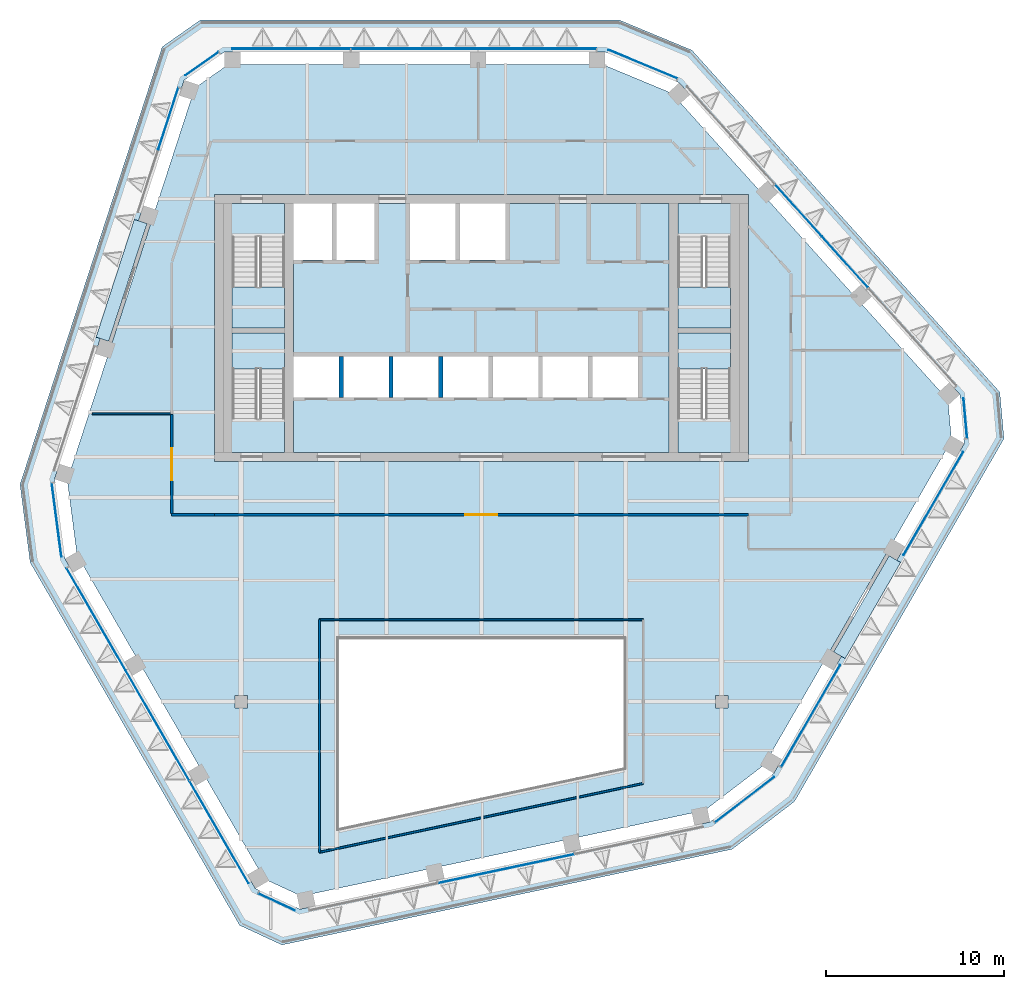
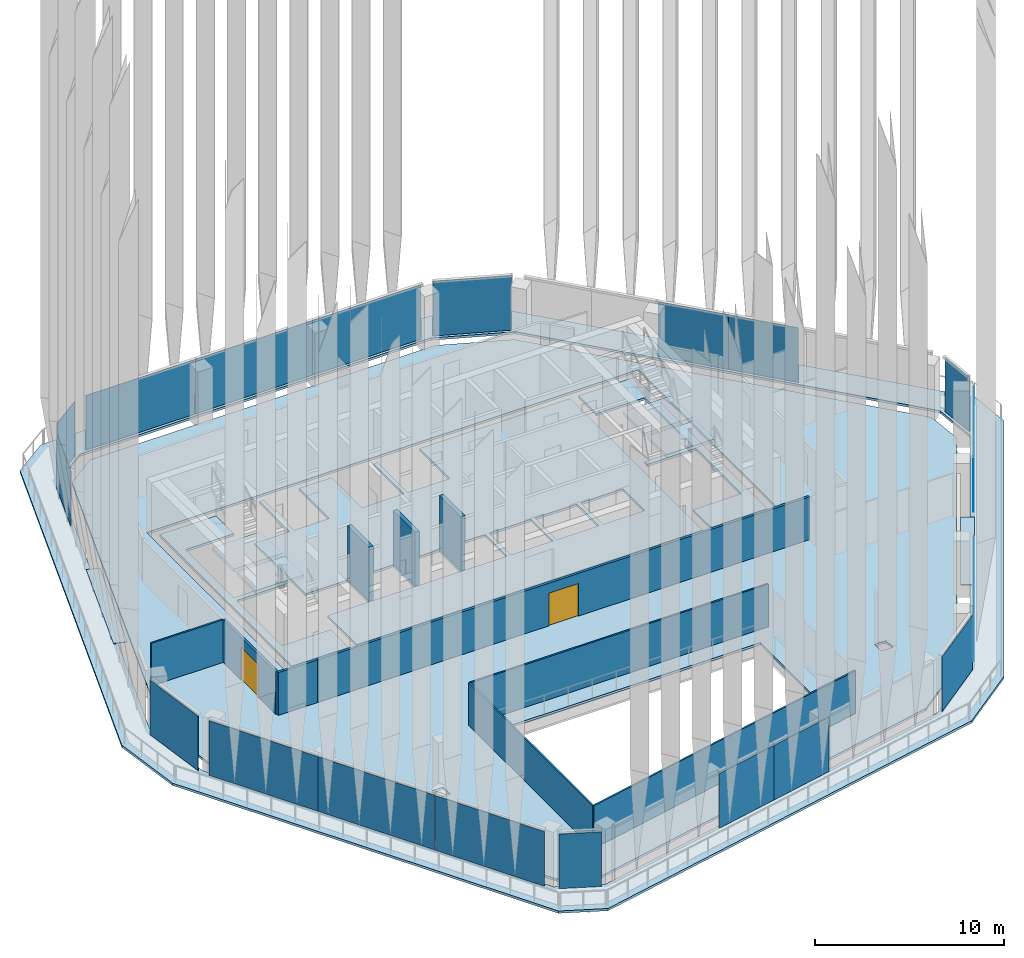
# One storey, part 7 of 21: 19 plates, 11 slabs, 10 walls, 2 doors, 2 openings, 16 elements without a shape of their own.
"""IFC4 building model written with IfcOpenShell, lengths in metres."""

from ifc_helpers import new_model, si_unit, direction, frame, frame_2d, origin, origin_2d, place, context, subcontext, project, spatial, polyline, rectangle, outline, extrude, material, layer, layer_set, type_object, element, fill, aggregate, save


model = new_model("IFC4")

# Units and contexts
model_context = context("Model", 3, precision=1e-05, world=origin(), true_north=direction((0.0, 1.0)))
body_context = subcontext(model_context, "Body", "Model", "MODEL_VIEW")
ifc_project = project(units=[si_unit("LENGTHUNIT", "METRE"), si_unit("AREAUNIT", "SQUARE_METRE"), si_unit("VOLUMEUNIT", "CUBIC_METRE"), si_unit("PLANEANGLEUNIT", "RADIAN"), si_unit("MASSUNIT", "GRAM", prefix="KILO")], contexts=[model_context])

# Site, building, storey
site_placement = place(None, origin())
site = spatial("IfcSite", under=ifc_project, at=site_placement, CompositionType="ELEMENT")
building_placement = place(site_placement, origin())
building = spatial("IfcBuilding", under=site, at=building_placement, Name="Isthmus Gate Tower", CompositionType="ELEMENT")
storey_placement = place(building_placement, frame((0.0, 0.0, 260.949951171875)))
storey = spatial("IfcBuildingStorey", under=building, at=storey_placement, Name="L66", CompositionType="ELEMENT", Elevation=260.949951171875)

# Slabs
ifc_material_1 = material(Name="Concrete f'c 40 MPa", Category="concrete")
ifc_layer_1 = layer(ifc_material_1, 0.14990234375)
ifc_layer_set_1 = layer_set([ifc_layer_1], Name="COMPOSITE FLOOR SLAB 150")
slab_type_1 = type_object("IfcSlabType", Name="COMPOSITE FLOOR SLAB 150", PredefinedType="FLOOR", material=ifc_layer_set_1)
slab_1_placement = place(storey_placement, frame((0.0, 0.0, -0.14990234375)))
element("IfcSlab", 1, at=slab_1_placement, inside=storey, type_object=slab_type_1, Name="str-slab-L66-1", PredefinedType="FLOOR", context=body_context, shape_type="SweptSolid", body=[
    extrude(outline(polyline([(10.7080078125, 20.68310546875), (26.218017578125, 3.45751953125), (26.423583984375, 1.1669921875), (15.902587890625, -17.055908203125), (12.55810546875, -19.614990234375), (-10.11474609375, -24.434326171875), (-12.201171875, -23.467041015625), (-22.72216796875, -5.243896484375), (-23.26611328125, -1.068115234375), (-16.103515625, 20.976806640625), (-14.22265625, 22.300048828125), (6.819580078125, 22.300048828125), (10.7080078125, 20.68310546875)]), holes=[polyline([(-8.0, -10.0), (-8.0, -20.611083984375), (8.0, -17.210205078125), (8.0, -10.0), (-8.0, -10.0)]), polyline([(-13.85009765625, -13.14990234375), (-13.85009765625, -13.85009765625), (-13.14990234375, -13.85009765625), (-13.14990234375, -13.14990234375), (-13.85009765625, -13.14990234375)]), polyline([(13.14990234375, -13.14990234375), (13.14990234375, -13.85009765625), (13.85009765625, -13.85009765625), (13.85009765625, -13.14990234375), (13.14990234375, -13.14990234375)]), polyline([(-15.0, 0.0), (15.0, 0.0), (15.0, 15.0), (-15.0, 15.0), (-15.0, 0.0)])]), origin(), (0.0, 0.0, 1.0), 0.14990234375),
])
ifc_material_2 = material(Name="Concrete f'c 40 MPa", Category="concrete")
ifc_layer_2 = layer(ifc_material_2, 0.14990234375)
ifc_layer_set_2 = layer_set([ifc_layer_2], Name="CORE FLOOR SLAB 150")
slab_type_2 = type_object("IfcSlabType", Name="CORE FLOOR SLAB 150", PredefinedType="FLOOR", material=ifc_layer_set_2)
slab_2_placement = place(storey_placement, frame((0.0, 0.0, -0.14990234375)))
element("IfcSlab", 2, at=slab_2_placement, inside=storey, type_object=slab_type_2, Name="L66 core floor", PredefinedType="FLOOR", context=body_context, shape_type="SweptSolid", body=[
    extrude(outline(polyline([(-11.050048828125, 0.5), (-11.050048828125, 2.402099609375), (-14.0, 2.402099609375), (-14.0, 7.199951171875), (-11.050048828125, 7.199951171875), (-11.050048828125, 7.5), (-14.0, 7.5), (-14.0, 12.597900390625), (-11.050048828125, 12.597900390625), (-11.050048828125, 14.5), (-14.5, 14.5), (-14.5, 0.5), (-11.050048828125, 0.5)])), origin(), (0.0, 0.0, 1.0), 0.14990234375),
])
slab_3_placement = place(storey_placement, frame((0.0, 0.0, -0.14990234375)))
element("IfcSlab", 3, at=slab_3_placement, inside=storey, type_object=slab_type_2, Name="L66 core floor", PredefinedType="FLOOR", context=body_context, shape_type="SweptSolid", body=[
    extrude(outline(polyline([(10.550048828125, 14.5), (1.35009765625, 14.5), (1.35009765625, 11.300048828125), (-1.199951171875, 11.300048828125), (-1.199951171875, 14.5), (-1.449951171875, 14.5), (-1.449951171875, 11.300048828125), (-4.0, 11.300048828125), (-4.0, 14.5), (-6.0, 14.5), (-6.0, 11.300048828125), (-8.14990234375, 11.300048828125), (-8.14990234375, 14.5), (-8.39990234375, 14.5), (-8.39990234375, 11.300048828125), (-10.550048828125, 11.300048828125), (-10.550048828125, 5.89990234375), (-8.0, 5.89990234375), (-8.0, 3.60009765625), (-10.550048828125, 3.60009765625), (-10.550048828125, 0.5), (10.550048828125, 0.5), (10.550048828125, 14.5)]), holes=[polyline([(-5.199951171875, 5.89990234375), (-5.199951171875, 3.60009765625), (-7.75, 3.60009765625), (-7.75, 5.89990234375), (-5.199951171875, 5.89990234375)]), polyline([(-2.39990234375, 5.89990234375), (-2.39990234375, 3.60009765625), (-4.949951171875, 3.60009765625), (-4.949951171875, 5.89990234375), (-2.39990234375, 5.89990234375)]), polyline([(0.39990234375, 5.89990234375), (0.39990234375, 3.60009765625), (-2.14990234375, 3.60009765625), (-2.14990234375, 5.89990234375), (0.39990234375, 5.89990234375)]), polyline([(3.199951171875, 5.89990234375), (3.199951171875, 3.60009765625), (0.64990234375, 3.60009765625), (0.64990234375, 5.89990234375), (3.199951171875, 5.89990234375)]), polyline([(6.0, 5.89990234375), (6.0, 3.60009765625), (3.449951171875, 3.60009765625), (3.449951171875, 5.89990234375), (6.0, 5.89990234375)]), polyline([(8.800048828125, 5.89990234375), (8.800048828125, 3.60009765625), (6.25, 3.60009765625), (6.25, 5.89990234375), (8.800048828125, 5.89990234375)])]), origin(), (0.0, 0.0, 1.0), 0.14990234375),
])
slab_4_placement = place(storey_placement, frame((0.0, 0.0, -0.14990234375)))
element("IfcSlab", 4, at=slab_4_placement, inside=storey, type_object=slab_type_2, Name="L66 core floor", PredefinedType="FLOOR", context=body_context, shape_type="SweptSolid", body=[
    extrude(outline(polyline([(11.050048828125, 14.5), (11.050048828125, 12.597900390625), (14.0, 12.597900390625), (14.0, 7.5), (11.050048828125, 7.5), (11.050048828125, 7.199951171875), (14.0, 7.199951171875), (14.0, 2.402099609375), (11.050048828125, 2.402099609375), (11.050048828125, 0.5), (14.5, 0.5), (14.5, 14.5), (11.050048828125, 14.5)])), origin(), (0.0, 0.0, 1.0), 0.14990234375),
])

# Curtain wall, plates
ifc_material_3 = material(Name="Aluminium, pale champagne anodised", Category="aluminium")
ifc_layer_3 = layer(ifc_material_3, 0.199951171875)
ifc_layer_set_3 = layer_set([ifc_layer_3], Name="CW-1 UNITISED CURTAIN WALL 200 DEEP")
curtain_wall_type = type_object("IfcCurtainWallType", Name="CW-1 UNITISED CURTAIN WALL 200 DEEP", PredefinedType="NOTDEFINED", material=ifc_layer_set_3)
curtain_wall_1_placement = place(storey_placement, origin())
curtain_wall_1 = element("IfcCurtainWall", 5, at=curtain_wall_1_placement, inside=storey, type_object=curtain_wall_type, Name="CW-1 N L66", PredefinedType="NOTDEFINED")
ifc_material_4 = material(Name="Laminated low-iron glass, pale blue tint", Category="glass")
ifc_layer_4 = layer(ifc_material_4, 0.031982421875)
ifc_layer_set_4 = layer_set([ifc_layer_4], Name="CW-1 CLEAR GLASS LITE 32")
plate_type = type_object("IfcPlateType", Name="CW-1 CLEAR GLASS LITE 32", PredefinedType="CURTAIN_PANEL", material=ifc_layer_set_4)
plate_1_placement = place(storey_placement, frame((3.13720703125, 23.18408203125, 0.0), z_axis=(0.0, 0.0, 1.0), x_axis=(-1.0, 0.0, 0.0)))
plate_1 = element("IfcPlate", 6, at=plate_1_placement, type_object=plate_type, Name="CW-1 glass lite", PredefinedType="CURTAIN_PANEL", context=body_context, shape_type="SweptSolid", body=[
    extrude(rectangle(XDim=6.62451171875, YDim=0.031982421875, at=origin_2d()), origin(), (0.0, 0.0, 1.0), 3.52001953125),
])
plate_2_placement = place(storey_placement, frame((-3.742431640625, 23.18408203125, 0.0), z_axis=(0.0, 0.0, 1.0), x_axis=(-1.0, 0.0, 0.0)))
plate_2 = element("IfcPlate", 7, at=plate_2_placement, type_object=plate_type, Name="CW-1 glass lite", PredefinedType="CURTAIN_PANEL", context=body_context, shape_type="SweptSolid", body=[
    extrude(rectangle(XDim=7.134521484375, YDim=0.031982421875, at=origin_2d()), origin(), (0.0, 0.0, 1.0), 3.52001953125),
])
plate_3_placement = place(storey_placement, frame((-10.681884765625, 23.18408203125, 0.0), z_axis=(0.0, 0.0, 1.0), x_axis=(-1.0, 0.0, 0.0)))
plate_3 = element("IfcPlate", 8, at=plate_3_placement, type_object=plate_type, Name="CW-1 glass lite", PredefinedType="CURTAIN_PANEL", context=body_context, shape_type="SweptSolid", body=[
    extrude(rectangle(XDim=6.62451171875, YDim=0.031982421875, at=origin_2d()), origin(), (0.0, 0.0, 1.0), 3.52001953125),
])
aggregate(curtain_wall_1, [plate_1, plate_2, plate_3])

# Curtain wall, plate
curtain_wall_2_placement = place(storey_placement, origin())
curtain_wall_2 = element("IfcCurtainWall", 9, at=curtain_wall_2_placement, inside=storey, type_object=curtain_wall_type, Name="CW-1 N-NW L66", PredefinedType="NOTDEFINED")
plate_4_placement = place(storey_placement, frame((-15.6953125, 22.3447265625, 0.0), z_axis=(0.0, 0.0, 1.0), x_axis=(-0.81785959165, -0.57541783805, 0.0)))
plate_4 = element("IfcPlate", 10, at=plate_4_placement, type_object=plate_type, Name="CW-1 glass lite", PredefinedType="CURTAIN_PANEL", context=body_context, shape_type="SweptSolid", body=[
    extrude(rectangle(XDim=2.258544921875, YDim=0.031982421875, at=origin_2d()), origin(), (0.0, 0.0, 1.0), 3.52001953125),
])
aggregate(curtain_wall_2, [plate_4])

curtain_wall_3_placement = place(storey_placement, origin())
curtain_wall_3 = element("IfcCurtainWall", 11, at=curtain_wall_3_placement, inside=storey, type_object=curtain_wall_type, Name="CW-1 NW L66", PredefinedType="NOTDEFINED")
plate_5_placement = place(storey_placement, frame((-17.592529296875, 19.254150390625, 0.0), z_axis=(0.0, 0.0, 1.0), x_axis=(-0.309016994375, -0.951056516295, 0.0)))
plate_5 = element("IfcPlate", 12, at=plate_5_placement, type_object=plate_type, Name="CW-1 glass lite", PredefinedType="CURTAIN_PANEL", context=body_context, shape_type="SweptSolid", body=[
    extrude(rectangle(XDim=3.643310546875, YDim=0.031982421875, at=origin_2d()), origin(), (0.0, 0.0, 1.0), 3.52001953125),
])
aggregate(curtain_wall_3, [plate_5])

curtain_wall_4_placement = place(storey_placement, origin())
curtain_wall_4 = element("IfcCurtainWall", 13, at=curtain_wall_4_placement, inside=storey, type_object=curtain_wall_type, Name="CW-1 NW-SW L66", PredefinedType="NOTDEFINED")
plate_6_placement = place(storey_placement, frame((-23.866943359375, -3.2998046875, 0.0), z_axis=(0.0, 0.0, 1.0), x_axis=(0.129164534, -0.991623175988, 0.0)))
plate_6 = element("IfcPlate", 14, at=plate_6_placement, type_object=plate_type, Name="CW-1 glass lite", PredefinedType="CURTAIN_PANEL", context=body_context, shape_type="SweptSolid", body=[
    extrude(rectangle(XDim=4.181396484375, YDim=0.031982421875, at=origin_2d()), origin(), (0.0, 0.0, 1.0), 3.52001953125),
])
aggregate(curtain_wall_4, [plate_6])

# Curtain wall, plates
curtain_wall_5_placement = place(storey_placement, origin())
curtain_wall_5 = element("IfcCurtainWall", 15, at=curtain_wall_5_placement, inside=storey, type_object=curtain_wall_type, Name="CW-1 SW L66", PredefinedType="NOTDEFINED")
plate_7_placement = place(storey_placement, frame((-21.646484375, -8.875244140625, 0.0), z_axis=(0.0, 0.0, 1.0), x_axis=(0.5, -0.866025403784, 0.0)))
plate_7 = element("IfcPlate", 16, at=plate_7_placement, type_object=plate_type, Name="CW-1 glass lite", PredefinedType="CURTAIN_PANEL", context=body_context, shape_type="SweptSolid", body=[
    extrude(rectangle(XDim=6.62451171875, YDim=0.031982421875, at=origin_2d()), origin(), (0.0, 0.0, 1.0), 3.52001953125),
])
plate_8_placement = place(storey_placement, frame((-18.206787109375, -14.8330078125, 0.0), z_axis=(0.0, 0.0, 1.0), x_axis=(0.5, -0.866025403784, 0.0)))
plate_8 = element("IfcPlate", 17, at=plate_8_placement, type_object=plate_type, Name="CW-1 glass lite", PredefinedType="CURTAIN_PANEL", context=body_context, shape_type="SweptSolid", body=[
    extrude(rectangle(XDim=7.134521484375, YDim=0.031982421875, at=origin_2d()), origin(), (0.0, 0.0, 1.0), 3.52001953125),
])
plate_9_placement = place(storey_placement, frame((-14.737060546875, -20.8427734375, 0.0), z_axis=(0.0, 0.0, 1.0), x_axis=(0.5, -0.866025403784, 0.0)))
plate_9 = element("IfcPlate", 18, at=plate_9_placement, type_object=plate_type, Name="CW-1 glass lite", PredefinedType="CURTAIN_PANEL", context=body_context, shape_type="SweptSolid", body=[
    extrude(rectangle(XDim=6.62451171875, YDim=0.031982421875, at=origin_2d()), origin(), (0.0, 0.0, 1.0), 3.52001953125),
])
aggregate(curtain_wall_5, [plate_7, plate_8, plate_9])

# Curtain wall, plate
curtain_wall_6_placement = place(storey_placement, origin())
curtain_wall_6 = element("IfcCurtainWall", 19, at=curtain_wall_6_placement, inside=storey, type_object=curtain_wall_type, Name="CW-1 SW-S L66", PredefinedType="NOTDEFINED")
plate_10_placement = place(storey_placement, frame((-11.50341796875, -24.764892578125, 0.0), z_axis=(0.0, 0.0, 1.0), x_axis=(0.907256261367, -0.420578264073, 0.0)))
plate_10 = element("IfcPlate", 20, at=plate_10_placement, type_object=plate_type, Name="CW-1 glass lite", PredefinedType="CURTAIN_PANEL", context=body_context, shape_type="SweptSolid", body=[
    extrude(rectangle(XDim=2.258544921875, YDim=0.031982421875, at=origin_2d()), origin(), (0.0, 0.0, 1.0), 3.52001953125),
])
aggregate(curtain_wall_6, [plate_10])

# Curtain wall, plates
curtain_wall_7_placement = place(storey_placement, origin())
curtain_wall_7 = element("IfcCurtainWall", 21, at=curtain_wall_7_placement, inside=storey, type_object=curtain_wall_type, Name="CW-1 S L66", PredefinedType="NOTDEFINED")
plate_11_placement = place(storey_placement, frame((-0.5234375, -23.29931640625, 0.0), z_axis=(0.0, 0.0, 1.0), x_axis=(0.978147600734, 0.207911690818, 0.0)))
plate_11 = element("IfcPlate", 22, at=plate_11_placement, type_object=plate_type, Name="CW-1 glass lite", PredefinedType="CURTAIN_PANEL", context=body_context, shape_type="SweptSolid", body=[
    extrude(rectangle(XDim=3.868408203125, YDim=0.031982421875, at=origin_2d()), origin(), (0.0, 0.0, 1.0), 3.52001953125),
])
plate_12_placement = place(storey_placement, frame((3.289794921875, -22.48876953125, 0.0), z_axis=(0.0, 0.0, 1.0), x_axis=(0.978147600734, 0.207911690818, 0.0)))
plate_12 = element("IfcPlate", 23, at=plate_12_placement, type_object=plate_type, Name="CW-1 glass lite", PredefinedType="CURTAIN_PANEL", context=body_context, shape_type="SweptSolid", body=[
    extrude(rectangle(XDim=3.928466796875, YDim=0.031982421875, at=origin_2d()), origin(), (0.0, 0.0, 1.0), 3.52001953125),
])
aggregate(curtain_wall_7, [plate_11, plate_12])

# Curtain wall, plate
curtain_wall_8_placement = place(storey_placement, origin())
curtain_wall_8 = element("IfcCurtainWall", 24, at=curtain_wall_8_placement, inside=storey, type_object=curtain_wall_type, Name="CW-1 S-SE L66", PredefinedType="NOTDEFINED")
plate_13_placement = place(storey_placement, frame((14.791259765625, -19.01953125, 0.0), z_axis=(0.0, 0.0, 1.0), x_axis=(0.794188594387, 0.607671355706, 0.0)))
plate_13 = element("IfcPlate", 25, at=plate_13_placement, type_object=plate_type, Name="CW-1 glass lite", PredefinedType="CURTAIN_PANEL", context=body_context, shape_type="SweptSolid", body=[
    extrude(rectangle(XDim=4.181396484375, YDim=0.031982421875, at=origin_2d()), origin(), (0.0, 0.0, 1.0), 3.52001953125),
])
aggregate(curtain_wall_8, [plate_13])

# Curtain wall, plates
curtain_wall_9_placement = place(storey_placement, origin())
curtain_wall_9 = element("IfcCurtainWall", 26, at=curtain_wall_9_placement, inside=storey, type_object=curtain_wall_type, Name="CW-1 SE L66", PredefinedType="NOTDEFINED")
plate_14_placement = place(storey_placement, frame((18.50927734375, -14.308837890625, 0.0), z_axis=(0.0, 0.0, 1.0), x_axis=(0.5, 0.866025403784, 0.0)))
plate_14 = element("IfcPlate", 27, at=plate_14_placement, type_object=plate_type, Name="CW-1 glass lite", PredefinedType="CURTAIN_PANEL", context=body_context, shape_type="SweptSolid", body=[
    extrude(rectangle(XDim=6.62451171875, YDim=0.031982421875, at=origin_2d()), origin(), (0.0, 0.0, 1.0), 3.52001953125),
])
plate_15_placement = place(storey_placement, frame((25.40380859375, -2.3671875, 0.0), z_axis=(0.0, 0.0, 1.0), x_axis=(0.5, 0.866025403784, 0.0)))
plate_15 = element("IfcPlate", 28, at=plate_15_placement, type_object=plate_type, Name="CW-1 glass lite", PredefinedType="CURTAIN_PANEL", context=body_context, shape_type="SweptSolid", body=[
    extrude(rectangle(XDim=6.6845703125, YDim=0.031982421875, at=origin_2d()), origin(), (0.0, 0.0, 1.0), 3.52001953125),
])
aggregate(curtain_wall_9, [plate_14, plate_15])

# Curtain wall, plate
curtain_wall_10_placement = place(storey_placement, origin())
curtain_wall_10 = element("IfcCurtainWall", 29, at=curtain_wall_10_placement, inside=storey, type_object=curtain_wall_type, Name="CW-1 SE-NE L66", PredefinedType="NOTDEFINED")
plate_16_placement = place(storey_placement, frame((27.19873046875, 2.420166015625, 0.0), z_axis=(0.0, 0.0, 1.0), x_axis=(-0.089396669717, 0.995996102123, 0.0)))
plate_16 = element("IfcPlate", 30, at=plate_16_placement, type_object=plate_type, Name="CW-1 glass lite", PredefinedType="CURTAIN_PANEL", context=body_context, shape_type="SweptSolid", body=[
    extrude(rectangle(XDim=2.258544921875, YDim=0.031982421875, at=origin_2d()), origin(), (0.0, 0.0, 1.0), 3.52001953125),
])
aggregate(curtain_wall_10, [plate_16])

# Curtain wall, plates
curtain_wall_11_placement = place(storey_placement, origin())
curtain_wall_11 = element("IfcCurtainWall", 31, at=curtain_wall_11_placement, inside=storey, type_object=curtain_wall_type, Name="CW-1 NE L66", PredefinedType="NOTDEFINED")
plate_17_placement = place(storey_placement, frame((20.439453125, 11.196533203125, 0.0), z_axis=(0.0, 0.0, 1.0), x_axis=(-0.669130606359, 0.743144825477, 0.0)))
plate_17 = element("IfcPlate", 32, at=plate_17_placement, type_object=plate_type, Name="CW-1 glass lite", PredefinedType="CURTAIN_PANEL", context=body_context, shape_type="SweptSolid", body=[
    extrude(rectangle(XDim=3.868408203125, YDim=0.031982421875, at=origin_2d()), origin(), (0.0, 0.0, 1.0), 3.52001953125),
])
plate_18_placement = place(storey_placement, frame((17.8310546875, 14.093505859375, 0.0), z_axis=(0.0, 0.0, 1.0), x_axis=(-0.669130606359, 0.743144825477, 0.0)))
plate_18 = element("IfcPlate", 33, at=plate_18_placement, type_object=plate_type, Name="CW-1 glass lite", PredefinedType="CURTAIN_PANEL", context=body_context, shape_type="SweptSolid", body=[
    extrude(rectangle(XDim=3.928466796875, YDim=0.031982421875, at=origin_2d()), origin(), (0.0, 0.0, 1.0), 3.52001953125),
])
aggregate(curtain_wall_11, [plate_17, plate_18])

# Curtain wall, plate
curtain_wall_12_placement = place(storey_placement, origin())
curtain_wall_12 = element("IfcCurtainWall", 34, at=curtain_wall_12_placement, inside=storey, type_object=curtain_wall_type, Name="CW-1 NE-N L66", PredefinedType="NOTDEFINED")
plate_19_placement = place(storey_placement, frame((9.07568359375, 22.3193359375, 0.0), z_axis=(0.0, 0.0, 1.0), x_axis=(-0.923353128387, 0.383951820282, 0.0)))
plate_19 = element("IfcPlate", 35, at=plate_19_placement, type_object=plate_type, Name="CW-1 glass lite", PredefinedType="CURTAIN_PANEL", context=body_context, shape_type="SweptSolid", body=[
    extrude(rectangle(XDim=4.181396484375, YDim=0.031982421875, at=origin_2d()), origin(), (0.0, 0.0, 1.0), 3.52001953125),
])
aggregate(curtain_wall_12, [plate_19])

# Slabs
ifc_material_5 = material(Name="Precast concrete C40/50", Category="concrete")
ifc_layer_5 = layer(ifc_material_5, 0.0400390625)
ifc_layer_set_5 = layer_set([ifc_layer_5], Name="DOOR LANDING SLAB 40")
slab_type_3 = type_object("IfcSlabType", Name="DOOR LANDING SLAB 40", PredefinedType="LANDING", material=ifc_layer_set_5)
slab_5_placement = place(storey_placement, origin())
element("IfcSlab", 36, at=slab_5_placement, inside=storey, type_object=slab_type_3, Name="DOOR LANDING", PredefinedType="LANDING", context=body_context, shape_type="SweptSolid", body=[
    extrude(outline(polyline([(-19.501708984375, 13.592041015625), (-21.651611328125, 6.9755859375), (-20.938232421875, 6.743896484375), (-18.788330078125, 13.360107421875), (-19.501708984375, 13.592041015625)])), origin(), (0.0, 0.0, 1.0), 0.0400390625),
])
slab_6_placement = place(storey_placement, origin())
element("IfcSlab", 37, at=slab_6_placement, inside=storey, type_object=slab_type_3, Name="DOOR LANDING", PredefinedType="LANDING", context=body_context, shape_type="SweptSolid", body=[
    extrude(outline(polyline([(20.44775390625, -11.083740234375), (23.56494140625, -5.684326171875), (22.915283203125, -5.309326171875), (19.798095703125, -10.708740234375), (20.44775390625, -11.083740234375)])), origin(), (0.0, 0.0, 1.0), 0.0400390625),
])
ifc_material_6 = material(Name="Concrete f'c 40 MPa", Category="concrete")
ifc_layer_6 = layer(ifc_material_6, 0.14990234375)
ifc_layer_set_6 = layer_set([ifc_layer_6], Name="LEDGE ROOF SLAB 150")
slab_type_4 = type_object("IfcSlabType", Name="LEDGE ROOF SLAB 150", PredefinedType="ROOF", material=ifc_layer_set_6)
slab_7_placement = place(storey_placement, frame((0.0, 0.0, -0.14990234375)))
element("IfcSlab", 38, at=slab_7_placement, inside=storey, type_object=slab_type_4, Name="str-ledge-L66", PredefinedType="ROOF", context=body_context, shape_type="SweptSolid", body=[
    extrude(outline(polyline([(29.13671875, 3.886962890625), (29.371337890625, 1.272705078125), (17.601806640625, -19.11279296875), (14.08837890625, -21.80078125), (-11.2021484375, -27.176513671875), (-13.58349609375, -26.07275390625), (-25.35302734375, -5.687255859375), (-25.92431640625, -1.300537109375), (-17.9345703125, 23.289794921875), (-15.7880859375, 24.800048828125), (7.751220703125, 24.800048828125), (11.8359375, 23.1015625), (29.13671875, 3.886962890625)]), holes=[polyline([(-16.697021484375, 21.4150390625), (-16.97509765625, 20.55908203125), (-18.98583984375, 14.37060546875), (-19.003173828125, 14.3173828125), (-19.263916015625, 13.5146484375), (-21.413818359375, 6.8984375), (-21.69189453125, 6.04248046875), (-23.70263671875, -0.14599609375), (-23.980712890625, -1.001953125), (-23.398193359375, -5.472900390625), (-22.9482421875, -6.25244140625), (-20.055908203125, -11.261962890625), (-19.623779296875, -12.010498046875), (-19.60595703125, -12.041259765625), (-16.48876953125, -17.440673828125), (-16.27587890625, -17.809326171875), (-16.038818359375, -18.219970703125), (-13.146484375, -23.2294921875), (-12.696533203125, -24.009033203125), (-10.197509765625, -25.16748046875), (-9.31689453125, -24.98046875), (-2.952392578125, -23.627685546875), (-2.072021484375, -23.4404296875), (4.732666015625, -21.993896484375), (5.613037109375, -21.806884765625), (11.977783203125, -20.4541015625), (12.85791015625, -20.266845703125), (16.43896484375, -17.527099609375), (16.888916015625, -16.74755859375), (19.781005859375, -11.738037109375), (20.050048828125, -11.272216796875), (20.231201171875, -10.958740234375), (23.348388671875, -5.559326171875), (23.661376953125, -5.017578125), (23.79833984375, -4.780029296875), (26.690673828125, 0.2294921875), (27.140625, 1.009033203125), (26.894287109375, 3.752685546875), (26.292236328125, 4.42138671875), (21.938232421875, 9.2568359375), (21.60986328125, 9.62158203125), (21.336181640625, 9.92578125), (16.680908203125, 15.095703125), (16.3251953125, 15.49072265625), (16.078857421875, 15.764404296875), (11.724853515625, 20.60009765625), (11.122802734375, 21.268798828125), (6.95947265625, 23.0), (6.059326171875, 23.0), (0.27490234375, 23.0), (-0.625, 23.0), (-6.859619140625, 23.0), (-7.759521484375, 23.0), (-13.544189453125, 23.0), (-14.444091796875, 23.0), (-16.697021484375, 21.4150390625)])]), origin(), (0.0, 0.0, 1.0), 0.14990234375),
])

# Stair, slab
ifc_material_7 = material(Name="Concrete f'c 40 MPa", Category="concrete")
stair_type = type_object("IfcStairType", Name="CORE STAIR 22 RISERS", PredefinedType="HALF_TURN_STAIR", material=ifc_material_7)
stair_1_placement = place(storey_placement, origin())
stair_1 = element("IfcStair", 39, at=stair_1_placement, inside=storey, type_object=stair_type, Name="L66 Exit Stair 1", PredefinedType="HALF_TURN_STAIR")
ifc_material_8 = material(Name="Concrete f'c 40 MPa", Category="concrete")
ifc_layer_7 = layer(ifc_material_8, 0.199951171875)
ifc_layer_set_7 = layer_set([ifc_layer_7])
slab_type_5 = type_object("IfcSlabType", Name="STAIR LANDING RC 200", PredefinedType="LANDING", material=ifc_layer_set_7)
slab_8_placement = place(storey_placement, frame((0.0, 0.0, 1.625)))
slab_8 = element("IfcSlab", 40, at=slab_8_placement, type_object=slab_type_5, Name="ST1 landing 1", PredefinedType="LANDING", context=body_context, shape_type="SweptSolid", body=[
    extrude(outline(polyline([(-14.0, 9.800048828125), (-14.0, 7.5), (-11.050048828125, 7.5), (-11.050048828125, 9.800048828125), (-14.0, 9.800048828125)])), origin(), (0.0, 0.0, 1.0), 0.199951171875),
])
aggregate(stair_1, [slab_8])

stair_2_placement = place(storey_placement, origin())
stair_2 = element("IfcStair", 41, at=stair_2_placement, inside=storey, type_object=stair_type, Name="L66 Exit Stair 2", PredefinedType="HALF_TURN_STAIR")
slab_9_placement = place(storey_placement, frame((0.0, 0.0, 1.625)))
slab_9 = element("IfcSlab", 42, at=slab_9_placement, type_object=slab_type_5, Name="ST2 landing 1", PredefinedType="LANDING", context=body_context, shape_type="SweptSolid", body=[
    extrude(outline(polyline([(11.050048828125, 9.800048828125), (11.050048828125, 7.5), (14.0, 7.5), (14.0, 9.800048828125), (11.050048828125, 9.800048828125)])), origin(), (0.0, 0.0, 1.0), 0.199951171875),
])
aggregate(stair_2, [slab_9])

stair_3_placement = place(storey_placement, origin())
stair_3 = element("IfcStair", 43, at=stair_3_placement, inside=storey, type_object=stair_type, Name="L66 Exit Stair 7", PredefinedType="HALF_TURN_STAIR")
slab_10_placement = place(storey_placement, frame((0.0, 0.0, 1.625)))
slab_10 = element("IfcSlab", 44, at=slab_10_placement, type_object=slab_type_5, Name="ST7 landing 1", PredefinedType="LANDING", context=body_context, shape_type="SweptSolid", body=[
    extrude(outline(polyline([(-11.050048828125, 5.199951171875), (-11.050048828125, 7.199951171875), (-14.0, 7.199951171875), (-14.0, 5.199951171875), (-11.050048828125, 5.199951171875)])), origin(), (0.0, 0.0, 1.0), 0.199951171875),
])
aggregate(stair_3, [slab_10])

stair_4_placement = place(storey_placement, origin())
stair_4 = element("IfcStair", 45, at=stair_4_placement, inside=storey, type_object=stair_type, Name="L66 Exit Stair 8", PredefinedType="HALF_TURN_STAIR")
slab_11_placement = place(storey_placement, frame((0.0, 0.0, 1.625)))
slab_11 = element("IfcSlab", 46, at=slab_11_placement, type_object=slab_type_5, Name="ST8 landing 1", PredefinedType="LANDING", context=body_context, shape_type="SweptSolid", body=[
    extrude(outline(polyline([(14.0, 5.199951171875), (14.0, 7.199951171875), (11.050048828125, 7.199951171875), (11.050048828125, 5.199951171875), (14.0, 5.199951171875)])), origin(), (0.0, 0.0, 1.0), 0.199951171875),
])
aggregate(stair_4, [slab_11])

# Walls
ifc_material_9 = material(Name="Fire-rated laminated glass in steel frame", Category="steel")
ifc_layer_8 = layer(ifc_material_9, 0.10009765625)
ifc_layer_set_8 = layer_set([ifc_layer_8], Name="ATRIUM SCREEN GLAZED WALL 100 120 MIN")
wall_type_1 = type_object("IfcWallType", Name="ATRIUM SCREEN GLAZED WALL 100 120 MIN", PredefinedType="PARTITIONING", material=ifc_layer_set_8)
wall_1_placement = place(storey_placement, frame((-9.10009765625, -8.89990234375, 0.0), z_axis=(0.0, 0.0, 1.0), x_axis=(1.0, 0.0, 0.0)))
element("IfcWall", 47, at=wall_1_placement, inside=storey, type_object=wall_type_1, Name="L66 atrium screen", PredefinedType="PARTITIONING", context=body_context, shape_type="SweptSolid", body=[
    extrude(rectangle(XDim=18.2001953125, YDim=0.10009765625, at=frame_2d((9.10009765625, 0.0))), origin(), (0.0, 0.0, 1.0), 2.750732421875),
])
wall_2_placement = place(storey_placement, frame((9.10009765625, -18.100830078125, 0.0), z_axis=(0.0, 0.0, 1.0), x_axis=(-0.978146710971, -0.207915876778, 0.0)))
element("IfcWall", 48, at=wall_2_placement, inside=storey, type_object=wall_type_1, Name="L66 atrium screen", PredefinedType="PARTITIONING", context=body_context, shape_type="SweptSolid", body=[
    extrude(rectangle(XDim=18.60693359375, YDim=0.10009765625, at=frame_2d((9.303466796875, 0.0))), origin(), (0.0, 0.0, 1.0), 2.750732421875),
])
wall_3_placement = place(storey_placement, frame((-9.10009765625, -21.969482421875, 0.0), z_axis=(0.0, 0.0, 1.0), x_axis=(0.0, 1.0, 0.0)))
element("IfcWall", 49, at=wall_3_placement, inside=storey, type_object=wall_type_1, Name="L66 atrium screen", PredefinedType="PARTITIONING", context=body_context, shape_type="SweptSolid", body=[
    extrude(rectangle(XDim=13.069580078125, YDim=0.10009765625, at=frame_2d((6.53466796875, 0.0))), origin(), (0.0, 0.0, 1.0), 2.750732421875),
])

# Wall, opening, door
ifc_material_10 = material(Name="Gypsum board on steel studs, fire-rated", Category="steel")
ifc_layer_9 = layer(ifc_material_10, 0.14990234375)
ifc_layer_set_9 = layer_set([ifc_layer_9], Name="CORRIDOR WALL 150 60 MIN")
wall_type_2 = type_object("IfcWallType", Name="CORRIDOR WALL 150 60 MIN", PredefinedType="PARTITIONING", material=ifc_layer_set_9)
wall_4_placement = place(storey_placement, frame((15.0, -3.0, 0.0), z_axis=(0.0, 0.0, 1.0), x_axis=(-1.0, 0.0, 0.0)))
wall_4 = element("IfcWall", 50, at=wall_4_placement, inside=storey, type_object=wall_type_2, Name="L66 Corridor Wall 150 60 Min", PredefinedType="PARTITIONING", context=body_context, shape_type="SweptSolid", body=[
    extrude(rectangle(XDim=30.0, YDim=0.14990234375, at=frame_2d((15.0, 0.0))), origin(), (0.0, 0.0, 1.0), 2.750732421875),
])
opening_1_placement = place(wall_4_placement, frame((14.10009765625, 0.0, 0.0)))
opening_1 = element("IfcOpeningElement", 51, at=opening_1_placement, cuts=wall_4, Name="Opening DT-T6A-07", PredefinedType="OPENING", context=body_context, shape_type="SweptSolid", body=[
    extrude(rectangle(XDim=1.800048828125, YDim=2.10009765625, at=frame_2d((0.89990234375, 1.050048828125))), frame((0.0, 0.0849609375, 0.0), z_axis=(0.0, -1.0, 0.0), x_axis=(1.0, 0.0, 0.0)), (0.0, 0.0, 1.0), 0.169921875),
])
ifc_material_11 = material(Name="Solid core timber door leaf, fire-rated", Category="wood")
door_type = type_object("IfcDoorType", Name="FIRE DOOR ROOM 1800 X 2100 60 MIN", OperationType="DOUBLE_DOOR_DOUBLE_SWING", PredefinedType="DOOR", material=ifc_material_11)
door_1_placement = place(opening_1_placement, origin())
door_1 = element("IfcDoor", 52, at=door_1_placement, inside=storey, type_object=door_type, Name="L66 room door", OperationType="DOUBLE_DOOR_DOUBLE_SWING", OverallHeight=2.10009765625, OverallWidth=1.800048828125, PredefinedType="DOOR", context=body_context, shape_type="SweptSolid", body=[
    extrude(rectangle(XDim=1.800048828125, YDim=2.10009765625, at=frame_2d((0.89990234375, 1.050048828125))), frame((0.0, 0.02490234375, 0.0), z_axis=(0.0, -1.0, 0.0), x_axis=(1.0, 0.0, 0.0)), (0.0, 0.0, 1.0), 0.050048828125),
])
fill(opening_1, door_1)

# Wall
wall_5_placement = place(storey_placement, frame((-15.0, -3.0, 0.0), z_axis=(0.0, 0.0, 1.0), x_axis=(-1.0, 0.0, 0.0)))
element("IfcWall", 53, at=wall_5_placement, inside=storey, type_object=wall_type_2, Name="L66 Corridor Wall 150 60 Min", PredefinedType="PARTITIONING", context=body_context, shape_type="SweptSolid", body=[
    extrude(rectangle(XDim=2.39990234375, YDim=0.14990234375, at=frame_2d((1.199951171875, 0.0))), origin(), (0.0, 0.0, 1.0), 2.750732421875),
])

# Wall, opening, door
wall_6_placement = place(storey_placement, frame((-17.39990234375, -2.925048828125, 0.0), z_axis=(0.0, 0.0, 1.0), x_axis=(0.0, 1.0, 0.0)))
wall_6 = element("IfcWall", 54, at=wall_6_placement, inside=storey, type_object=wall_type_2, Name="L66 Corridor Wall 150 60 Min", PredefinedType="PARTITIONING", context=body_context, shape_type="SweptSolid", body=[
    extrude(rectangle(XDim=5.545166015625, YDim=0.14990234375, at=frame_2d((2.7724609375, 0.0))), origin(), (0.0, 0.0, 1.0), 2.750732421875),
])
opening_2_placement = place(wall_6_placement, frame((1.87255859375, 0.0, 0.0)))
opening_2 = element("IfcOpeningElement", 55, at=opening_2_placement, cuts=wall_6, Name="Opening DT-T6A-08", PredefinedType="OPENING", context=body_context, shape_type="SweptSolid", body=[
    extrude(rectangle(XDim=1.800048828125, YDim=2.10009765625, at=frame_2d((0.89990234375, 1.050048828125))), frame((0.0, 0.0849609375, 0.0), z_axis=(0.0, -1.0, 0.0), x_axis=(1.0, 0.0, 0.0)), (0.0, 0.0, 1.0), 0.169921875),
])
door_2_placement = place(opening_2_placement, origin())
door_2 = element("IfcDoor", 56, at=door_2_placement, inside=storey, type_object=door_type, Name="L66 room door", OperationType="DOUBLE_DOOR_DOUBLE_SWING", OverallHeight=2.10009765625, OverallWidth=1.800048828125, PredefinedType="DOOR", context=body_context, shape_type="SweptSolid", body=[
    extrude(rectangle(XDim=1.800048828125, YDim=2.10009765625, at=frame_2d((0.89990234375, 1.050048828125))), frame((0.0, 0.02490234375, 0.0), z_axis=(0.0, -1.0, 0.0), x_axis=(1.0, 0.0, 0.0)), (0.0, 0.0, 1.0), 0.050048828125),
])
fill(opening_2, door_2)

# Walls
ifc_material_12 = material(Name="Gypsum board on steel studs, fire-rated", Category="steel")
ifc_layer_10 = layer(ifc_material_12, 0.10009765625)
ifc_layer_set_10 = layer_set([ifc_layer_10], Name="ROOM PARTITION 100 30 MIN")
wall_type_3 = type_object("IfcWallType", Name="ROOM PARTITION 100 30 MIN", PredefinedType="PARTITIONING", material=ifc_layer_set_10)
wall_7_placement = place(storey_placement, frame((-21.85693359375, 2.669921875, 0.0), z_axis=(0.0, 0.0, 1.0), x_axis=(1.0, 0.0, 0.0)))
element("IfcWall", 57, at=wall_7_placement, inside=storey, type_object=wall_type_3, Name="L66 Room Partition 100 30 Min", PredefinedType="PARTITIONING", context=body_context, shape_type="SweptSolid", body=[
    extrude(rectangle(XDim=4.3818359375, YDim=0.10009765625, at=frame_2d((2.19091796875, 0.0))), origin(), (0.0, 0.0, 1.0), 2.750732421875),
])
ifc_material_13 = material(Name="Fire-rated blockwork masonry, 15 MPa", Category="masonry")
ifc_layer_11 = layer(ifc_material_13, 0.25)
ifc_layer_set_11 = layer_set([ifc_layer_11], Name="SHAFT WALL 250 120 MIN")
wall_type_4 = type_object("IfcWallType", Name="SHAFT WALL 250 120 MIN", PredefinedType="PARTITIONING", material=ifc_layer_set_11)
for number, where, z_axis, x_axis, name in (
    (58, (-7.875, 3.60009765625, 0.0), (0.0, 0.0, 1.0), (0.0, 1.0, 0.0), "L66 SHAFT WALL 250 120 MIN"),
    (59, (-5.074951171875, 3.60009765625, 0.0), (0.0, 0.0, 1.0), (0.0, 1.0, 0.0), "L66 SHAFT WALL 250 120 MIN"),
    (60, (-2.27490234375, 3.60009765625, 0.0), (0.0, 0.0, 1.0), (0.0, 1.0, 0.0), "L66 SHAFT WALL 250 120 MIN"),
):
    element("IfcWall", number, at=place(storey_placement, frame(where, z_axis=z_axis, x_axis=x_axis)), inside=storey, type_object=wall_type_4, Name=name, PredefinedType="PARTITIONING", context=body_context, shape_type="SweptSolid", body=[
        extrude(rectangle(XDim=2.2998046875, YDim=0.25, at=frame_2d((1.14990234375, 0.0))), origin(), (0.0, 0.0, 1.0), 3.5),
    ])

save(model, "model.ifc")
